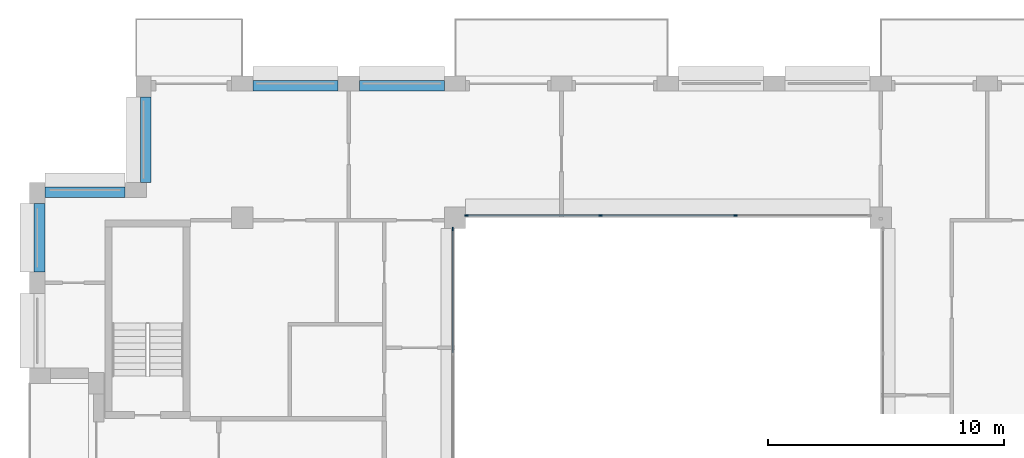
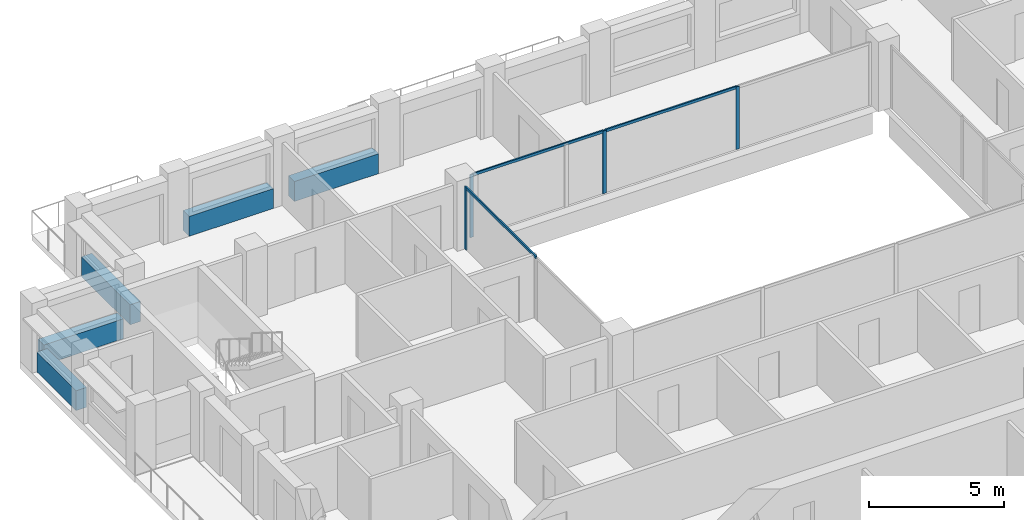
# One storey, part 5 of 15: 7 members, 5 beams, 2 elements without a shape of their own.
"""IFC4 building model written with IfcOpenShell, lengths in metres."""

from ifc_helpers import new_model, si_unit, direction, frame, origin, origin_2d, place, context, subcontext, project, spatial, rectangle, extrude, material, layer, layer_set, material_profile, profile_set, type_object, element, aggregate, save


model = new_model("IFC4")

# Units and contexts
model_context = context("Model", 3, precision=1e-05, world=origin(), true_north=direction((0.0, 1.0)))
body_context = subcontext(model_context, "Body", "Model", "MODEL_VIEW")
ifc_project = project(units=[si_unit("LENGTHUNIT", "METRE"), si_unit("AREAUNIT", "SQUARE_METRE"), si_unit("VOLUMEUNIT", "CUBIC_METRE"), si_unit("PLANEANGLEUNIT", "RADIAN"), si_unit("MASSUNIT", "GRAM", prefix="KILO")], contexts=[model_context])

# Site, building, storey
site_placement = place(None, origin())
site = spatial("IfcSite", under=ifc_project, at=site_placement, CompositionType="ELEMENT")
building_placement = place(site_placement, origin())
building = spatial("IfcBuilding", under=site, at=building_placement, Name="Brigalow Station Residences", CompositionType="ELEMENT")
storey_placement = place(building_placement, frame((0.0, 0.0, 220.050048828125)))
storey = spatial("IfcBuildingStorey", under=building, at=storey_placement, Name="L63", CompositionType="ELEMENT", Elevation=220.050048828125)

# Curtain wall, members
ifc_material_1 = material(Name="Aluminium", Category="aluminium")
ifc_layer = layer(ifc_material_1, 0.14990234375)
ifc_layer_set = layer_set([ifc_layer], Name="ATRIUM FIRE-RATED GLAZING CURTAIN WALL")
curtain_wall_type = type_object("IfcCurtainWallType", Name="ATRIUM FIRE-RATED GLAZING CURTAIN WALL", PredefinedType="NOTDEFINED", material=ifc_layer_set)
curtain_wall_1_placement = place(storey_placement, origin())
curtain_wall_1 = element("IfcCurtainWall", 1, at=curtain_wall_1_placement, inside=storey, type_object=curtain_wall_type, Name="L63/cw/atrium-N", PredefinedType="NOTDEFINED")
ifc_material_2 = material(Name="Aluminium", Category="aluminium")
ifc_material_profile_1 = material_profile(ifc_material_2, rectangle(XDim=0.06005859375, YDim=0.14990234375, at=origin_2d()), Name="ATRIUM FIRE-RATED GLAZING MULLION 60x150")
ifc_profile_set_1 = profile_set([ifc_material_profile_1], Name="Aluminium")
member_type_1 = type_object("IfcMemberType", Name="ATRIUM FIRE-RATED GLAZING MULLION 60x150", PredefinedType="MULLION", material=ifc_profile_set_1)
member_1_placement = place(storey_placement, frame((38.85009765625, 35.60009765625, 0.0), z_axis=(0.0, 0.0, 1.0), x_axis=(0.0, -1.0, 0.0)))
member_1 = element("IfcMember", 2, at=member_1_placement, type_object=member_type_1, Name="L63/cw/atrium-N/M01", PredefinedType="MULLION", context=body_context, shape_type="SweptSolid", body=[
    extrude(rectangle(XDim=0.06005859375, YDim=0.14990234375, at=origin_2d()), origin(), (0.0, 0.0, 1.0), 2.829833984375),
])
member_2_placement = place(storey_placement, frame((33.14990234375, 35.60009765625, 0.0), z_axis=(0.0, 0.0, 1.0), x_axis=(0.0, -1.0, 0.0)))
member_2 = element("IfcMember", 3, at=member_2_placement, type_object=member_type_1, Name="L63/cw/atrium-N/M02", PredefinedType="MULLION", context=body_context, shape_type="SweptSolid", body=[
    extrude(rectangle(XDim=0.06005859375, YDim=0.14990234375, at=origin_2d()), origin(), (0.0, 0.0, 1.0), 2.829833984375),
])
member_3_placement = place(storey_placement, frame((27.47998046875, 35.60009765625, 0.0), z_axis=(0.0, 0.0, 1.0), x_axis=(0.0, -1.0, 0.0)))
member_3 = element("IfcMember", 4, at=member_3_placement, type_object=member_type_1, Name="L63/cw/atrium-N/M03", PredefinedType="MULLION", context=body_context, shape_type="SweptSolid", body=[
    extrude(rectangle(XDim=0.06005859375, YDim=0.14990234375, at=origin_2d()), origin(), (0.0, 0.0, 1.0), 2.829833984375),
])

# Curtain wall, member
curtain_wall_2_placement = place(storey_placement, origin())
curtain_wall_2 = element("IfcCurtainWall", 5, at=curtain_wall_2_placement, inside=storey, type_object=curtain_wall_type, Name="L63/cw/atrium-W", PredefinedType="NOTDEFINED")
member_4_placement = place(storey_placement, frame((26.89990234375, 35.02001953125, 0.0), z_axis=(0.0, 0.0, 1.0), x_axis=(1.0, 0.0, 0.0)))
member_4 = element("IfcMember", 6, at=member_4_placement, type_object=member_type_1, Name="L63/cw/atrium-W/M00", PredefinedType="MULLION", context=body_context, shape_type="SweptSolid", body=[
    extrude(rectangle(XDim=0.06005859375, YDim=0.14990234375, at=origin_2d()), origin(), (0.0, 0.0, 1.0), 2.829833984375),
])

# Member
ifc_material_3 = material(Name="Aluminium", Category="aluminium")
ifc_material_profile_2 = material_profile(ifc_material_3, rectangle(XDim=0.06005859375, YDim=0.1201171875, at=origin_2d()), Name="ATRIUM FIRE-RATED GLAZING TRANSOM 60x120")
ifc_profile_set_2 = profile_set([ifc_material_profile_2], Name="Aluminium")
member_type_2 = type_object("IfcMemberType", Name="ATRIUM FIRE-RATED GLAZING TRANSOM 60x120", PredefinedType="USERDEFINED", material=ifc_profile_set_2)
member_5_placement = place(storey_placement, frame((38.820068359375, 35.60009765625, 2.800048828125), z_axis=(-1.0, 0.0, 0.0), x_axis=(0.0, -1.0, 0.0)))
member_5 = element("IfcMember", 7, at=member_5_placement, type_object=member_type_2, Name="L63/cw/atrium-N/T01-00", ObjectType="TRANSOM", PredefinedType="USERDEFINED", context=body_context, shape_type="SweptSolid", body=[
    extrude(rectangle(XDim=0.06005859375, YDim=0.1201171875, at=origin_2d()), origin(), (0.0, 0.0, 1.0), 5.64013671875),
])

member_6_placement = place(storey_placement, frame((33.1201171875, 35.60009765625, 2.800048828125), z_axis=(-1.0, 0.0, 0.0), x_axis=(0.0, -1.0, 0.0)))
member_6 = element("IfcMember", 8, at=member_6_placement, type_object=member_type_2, Name="L63/cw/atrium-N/T02-00", ObjectType="TRANSOM", PredefinedType="USERDEFINED", context=body_context, shape_type="SweptSolid", body=[
    extrude(rectangle(XDim=0.06005859375, YDim=0.1201171875, at=origin_2d()), origin(), (0.0, 0.0, 1.0), 5.610107421875),
])

aggregate(curtain_wall_1, [member_1, member_2, member_3, member_5, member_6])

member_7_placement = place(storey_placement, frame((26.89990234375, 34.989990234375, 2.800048828125), z_axis=(0.0, -1.0, 0.0), x_axis=(1.0, 0.0, 0.0)))
member_7 = element("IfcMember", 9, at=member_7_placement, type_object=member_type_2, Name="L63/cw/atrium-W/T00-00", ObjectType="TRANSOM", PredefinedType="USERDEFINED", context=body_context, shape_type="SweptSolid", body=[
    extrude(rectangle(XDim=0.06005859375, YDim=0.1201171875, at=origin_2d()), origin(), (0.0, 0.0, 1.0), 5.2099609375),
])

aggregate(curtain_wall_2, [member_4, member_7])

# Beams
ifc_material_4 = material(Name="Concrete C50", Category="concrete")
ifc_material_profile_3 = material_profile(ifc_material_4, rectangle(XDim=0.449951171875, YDim=0.89990234375, at=origin_2d()), Name="RC450x900")
ifc_profile_set_3 = profile_set([ifc_material_profile_3], Name="Concrete C50")
beam_type = type_object("IfcBeamType", Name="SPANDREL BEAM 450x900 C50", PredefinedType="SPANDREL", material=ifc_profile_set_3)
for number, where, z_axis, x_axis, name in (
    (10, (26.550048828125, 41.074951171875, 0.449951171875), (-1.0, 0.0, 0.0), (0.0, -1.0, 0.0), "L63/spandrel/W-L63-29"),
    (11, (22.050048828125, 41.074951171875, 0.449951171875), (-1.0, 0.0, 0.0), (0.0, -1.0, 0.0), "L63/spandrel/W-L63-30"),
    (12, (13.925048828125, 40.60009765625, 0.449951171875), (0.0, -1.0, 0.0), (1.0, 0.0, 0.0), "L63/spandrel/W-L63-32"),
):
    element("IfcBeam", number, at=place(storey_placement, frame(where, z_axis=z_axis, x_axis=x_axis)), inside=storey, type_object=beam_type, Name=name, PredefinedType="SPANDREL", context=body_context, shape_type="SweptSolid", body=[
        extrude(rectangle(XDim=0.449951171875, YDim=0.89990234375, at=origin_2d()), origin(), (0.0, 0.0, 1.0), 3.60009765625),
    ])
beam_1_placement = place(storey_placement, frame((13.050048828125, 36.574951171875, 0.449951171875), z_axis=(-1.0, 0.0, 0.0), x_axis=(0.0, -1.0, 0.0)))
element("IfcBeam", 13, at=beam_1_placement, inside=storey, type_object=beam_type, Name="L63/spandrel/W-L63-33", PredefinedType="SPANDREL", context=body_context, shape_type="SweptSolid", body=[
    extrude(rectangle(XDim=0.449951171875, YDim=0.89990234375, at=origin_2d()), origin(), (0.0, 0.0, 1.0), 3.400146484375),
])
beam_2_placement = place(storey_placement, frame((9.425048828125, 36.10009765625, 0.449951171875), z_axis=(0.0, -1.0, 0.0), x_axis=(1.0, 0.0, 0.0)))
element("IfcBeam", 14, at=beam_2_placement, inside=storey, type_object=beam_type, Name="L63/spandrel/W-L63-34", PredefinedType="SPANDREL", context=body_context, shape_type="SweptSolid", body=[
    extrude(rectangle(XDim=0.449951171875, YDim=0.89990234375, at=origin_2d()), origin(), (0.0, 0.0, 1.0), 2.900146484375),
])

save(model, "model.ifc")
